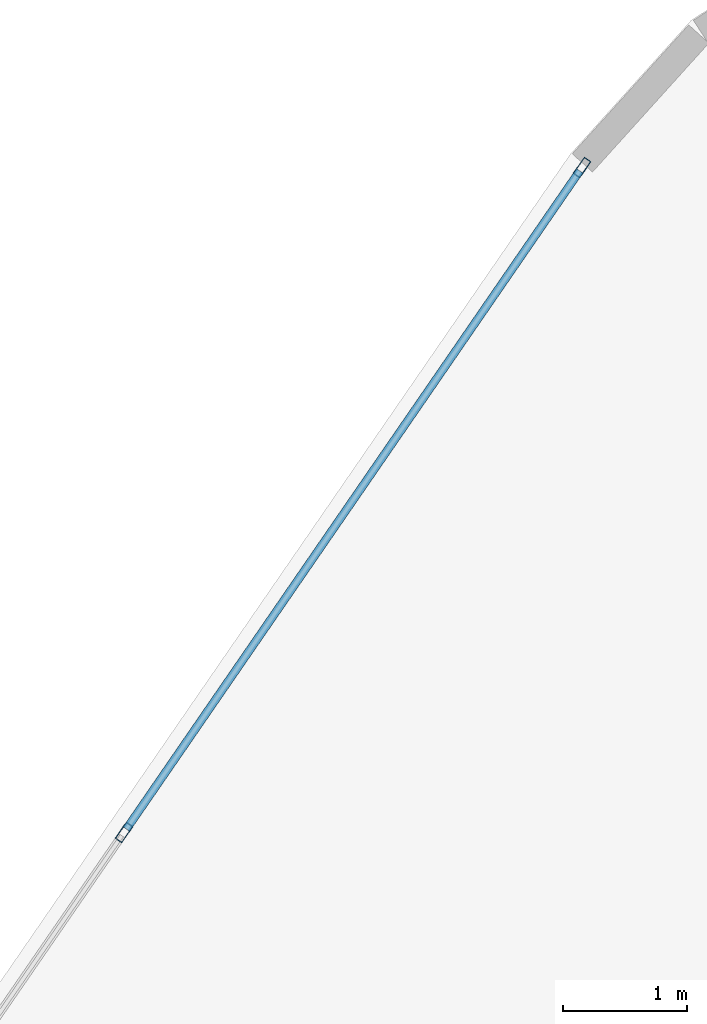
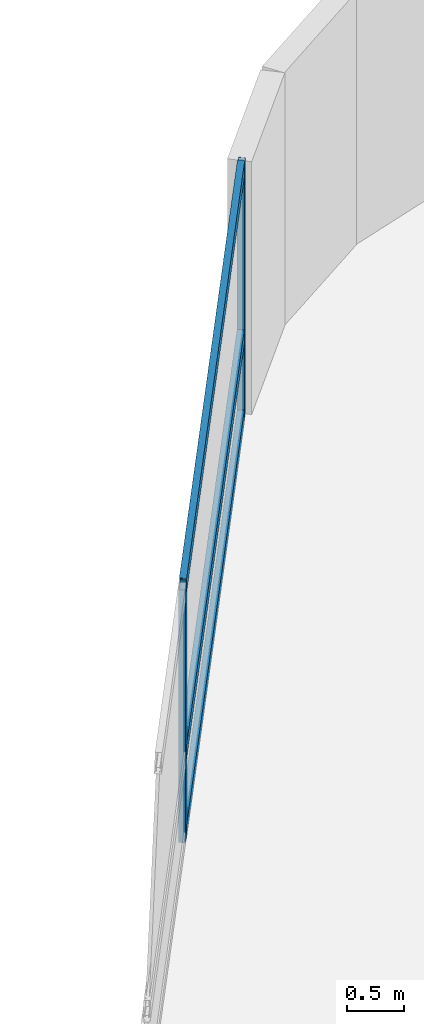
# One storey, part 15 of 24: 5 members, 1 element without a shape of its own.
"""IFC4 building model written with IfcOpenShell, lengths in metres."""

from ifc_helpers import new_model, si_unit, direction, frame, origin, origin_2d, place, context, subcontext, project, spatial, hollow_rectangle, extrude, material, layer, layer_set, material_profile, profile_set, type_object, element, aggregate, save


model = new_model("IFC4")

# Units and contexts
model_context = context("Model", 3, precision=1e-05, world=origin(), true_north=direction((0.0, 1.0)))
body_context = subcontext(model_context, "Body", "Model", "MODEL_VIEW")
ifc_project = project(units=[si_unit("LENGTHUNIT", "METRE"), si_unit("AREAUNIT", "SQUARE_METRE"), si_unit("VOLUMEUNIT", "CUBIC_METRE"), si_unit("PLANEANGLEUNIT", "RADIAN"), si_unit("MASSUNIT", "GRAM", prefix="KILO")], contexts=[model_context])

# Site, building, storey
site_placement = place(None, origin())
site = spatial("IfcSite", under=ifc_project, at=site_placement, CompositionType="ELEMENT")
building_placement = place(site_placement, origin())
building = spatial("IfcBuilding", under=site, at=building_placement, Name="Varnelok Gate Tower", CompositionType="ELEMENT")
storey_placement = place(building_placement, frame((0.0, 0.0, 41.800048828125)))
storey = spatial("IfcBuildingStorey", under=building, at=storey_placement, Name="L09", CompositionType="ELEMENT", Elevation=41.800048828125)

# Curtain wall, members
ifc_material = material(Name="Anodized Aluminum Alloy 6063-T6", Category="aluminium")
ifc_layer = layer(ifc_material, 0.179931640625)
ifc_layer_set = layer_set([ifc_layer], Name="Anodized Aluminum Alloy 6063-T6")
curtain_wall_type = type_object("IfcCurtainWallType", Name="CW3-HOTEL-VISION", PredefinedType="USERDEFINED", material=ifc_layer_set)
curtain_wall_placement = place(storey_placement, origin())
curtain_wall = element("IfcCurtainWall", 1, at=curtain_wall_placement, inside=storey, type_object=curtain_wall_type, Name="L09 West End Vision Curtain Wall", ObjectType="UNITISED CURTAIN WALL", PredefinedType="USERDEFINED")
ifc_material_profile_1 = material_profile(ifc_material, hollow_rectangle(XDim=0.06494140625, YDim=0.159912109375, WallThickness=0.00390625, at=origin_2d()), Name="ALU160X65X4")
ifc_profile_set_1 = profile_set([ifc_material_profile_1], Name="Anodized Aluminum Alloy 6063-T6")
member_type_1 = type_object("IfcMemberType", Name="CW-MULL-160", PredefinedType="MULLION", material=ifc_profile_set_1)
member_1_placement = place(storey_placement, frame((14.48291015625, 58.273193359375, 0.0), z_axis=(0.0, 0.0, 1.0), x_axis=(-0.823532685111, 0.567268822124, 0.0)))
member_1 = element("IfcMember", 2, at=member_1_placement, type_object=member_type_1, Name="CW3 mullion 6", PredefinedType="MULLION", context=body_context, shape_type="SweptSolid", body=[
    extrude(hollow_rectangle(XDim=0.06494140625, YDim=0.159912109375, WallThickness=0.00390625, at=origin_2d()), origin(), (0.0, 0.0, 1.0), 2.72998046875),
])
member_2_placement = place(storey_placement, frame((18.189453125, 63.654296875, 0.0), z_axis=(0.0, 0.0, 1.0), x_axis=(-0.823532685111, 0.567268822124, 0.0)))
member_2 = element("IfcMember", 3, at=member_2_placement, type_object=member_type_1, Name="CW3 mullion 7", PredefinedType="MULLION", context=body_context, shape_type="SweptSolid", body=[
    extrude(hollow_rectangle(XDim=0.06494140625, YDim=0.159912109375, WallThickness=0.00390625, at=origin_2d()), origin(), (0.0, 0.0, 1.0), 2.72998046875),
])
ifc_material_profile_2 = material_profile(ifc_material, hollow_rectangle(XDim=0.06494140625, YDim=0.159912109375, WallThickness=0.00390625, at=origin_2d()), Name="ALU160X65X4")
ifc_profile_set_2 = profile_set([ifc_material_profile_2], Name="Anodized Aluminum Alloy 6063-T6")
member_type_2 = type_object("IfcMemberType", Name="CW-TRAN-160", PredefinedType="USERDEFINED", material=ifc_profile_set_2)
member_3_placement = place(storey_placement, frame((14.50146484375, 58.300048828125, 0.032470703125), z_axis=(0.567255754851, 0.823541686006, 0.0), x_axis=(-0.823541686006, 0.567255754851, 0.0)))
member_3 = element("IfcMember", 4, at=member_3_placement, type_object=member_type_2, Name="CW3 transom 6.1", ObjectType="TRANSOM", PredefinedType="USERDEFINED", context=body_context, shape_type="SweptSolid", body=[
    extrude(hollow_rectangle(XDim=0.06494140625, YDim=0.159912109375, WallThickness=0.00390625, at=origin_2d()), origin(), (0.0, 0.0, 1.0), 6.46923828125),
])
member_4_placement = place(storey_placement, frame((14.50146484375, 58.300048828125, 0.89990234375), z_axis=(0.567255754851, 0.823541686006, 0.0), x_axis=(-0.823541686006, 0.567255754851, 0.0)))
member_4 = element("IfcMember", 5, at=member_4_placement, type_object=member_type_2, Name="CW3 transom 6.2", ObjectType="TRANSOM", PredefinedType="USERDEFINED", context=body_context, shape_type="SweptSolid", body=[
    extrude(hollow_rectangle(XDim=0.06494140625, YDim=0.159912109375, WallThickness=0.00390625, at=origin_2d()), origin(), (0.0, 0.0, 1.0), 6.46923828125),
])
member_5_placement = place(storey_placement, frame((14.50146484375, 58.300048828125, 2.697509765625), z_axis=(0.567255754851, 0.823541686006, 0.0), x_axis=(-0.823541686006, 0.567255754851, 0.0)))
member_5 = element("IfcMember", 6, at=member_5_placement, type_object=member_type_2, Name="CW3 transom 6.3", ObjectType="TRANSOM", PredefinedType="USERDEFINED", context=body_context, shape_type="SweptSolid", body=[
    extrude(hollow_rectangle(XDim=0.06494140625, YDim=0.159912109375, WallThickness=0.00390625, at=origin_2d()), origin(), (0.0, 0.0, 1.0), 6.46923828125),
])
aggregate(curtain_wall, [member_1, member_2, member_3, member_4, member_5])

save(model, "model.ifc")
